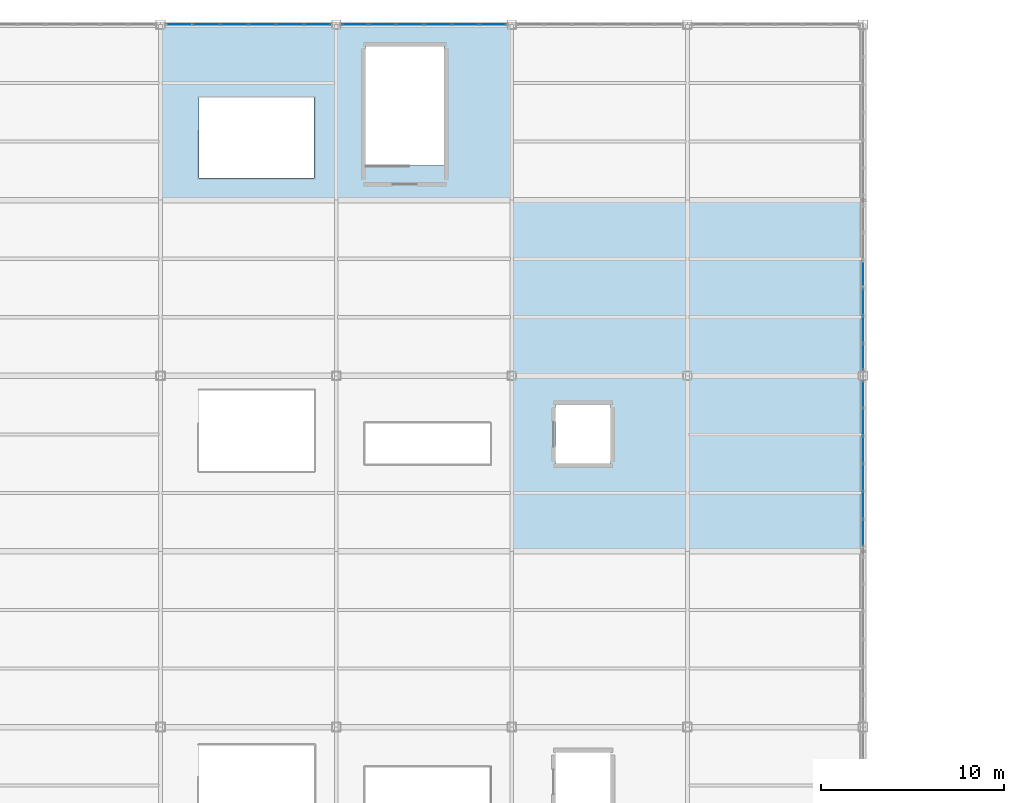
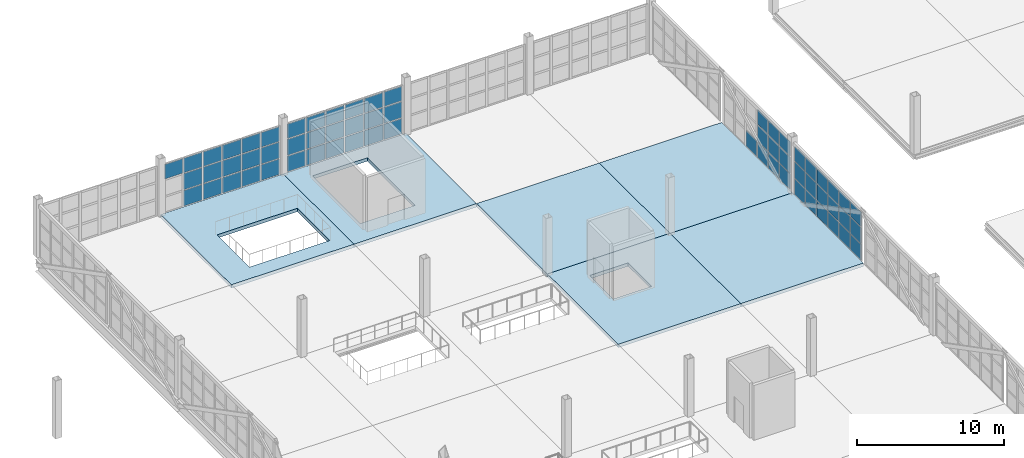
# One storey, part 87 of 120: 62 plates, 6 slabs, 4 elements without a shape of their own.
"""IFC4 building model written with IfcOpenShell, lengths in metres."""

from ifc_helpers import new_model, si_unit, direction, frame, origin, origin_2d, place, context, subcontext, project, spatial, polyline, rectangle, outline, extrude, material, layer, layer_set, type_object, element, aggregate, save


model = new_model("IFC4")

# Units and contexts
model_context = context("Model", 3, precision=1e-05, world=origin(), true_north=direction((0.0, 1.0)))
body_context = subcontext(model_context, "Body", "Model", "MODEL_VIEW")
ifc_project = project(units=[si_unit("LENGTHUNIT", "METRE"), si_unit("AREAUNIT", "SQUARE_METRE"), si_unit("VOLUMEUNIT", "CUBIC_METRE"), si_unit("PLANEANGLEUNIT", "RADIAN"), si_unit("MASSUNIT", "GRAM", prefix="KILO")], contexts=[model_context])

# Site, building, storey
site_placement = place(None, origin())
site = spatial("IfcSite", under=ifc_project, at=site_placement, CompositionType="ELEMENT")
building_placement = place(site_placement, origin())
building = spatial("IfcBuilding", under=site, at=building_placement, Name="Zarnetskaya Central Station", CompositionType="ELEMENT")
storey_placement = place(building_placement, frame((0.0, 0.0, 5.39990234375)))
storey = spatial("IfcBuildingStorey", under=building, at=storey_placement, Name="L01", CompositionType="ELEMENT", Elevation=5.39990234375)

# Curtain wall, plates
ifc_material_1 = material(Name="Low-E insulated glass", Category="glass")
ifc_layer_1 = layer(ifc_material_1, 0.172119140625, Name="Low-E insulated glass", Category="glass")
ifc_layer_set_1 = layer_set([ifc_layer_1], Name="Low-E insulated glass")
curtain_wall_type = type_object("IfcCurtainWallType", Name="CW-SYS-09", PredefinedType="USERDEFINED", material=ifc_layer_set_1)
curtain_wall_1_placement = place(storey_placement, origin())
curtain_wall_1 = element("IfcCurtainWall", 1, at=curtain_wall_1_placement, inside=storey, type_object=curtain_wall_type, Name="Curtain wall CW-L01-153", ObjectType="CURTAIN WALL", PredefinedType="USERDEFINED")
ifc_layer_2 = layer(ifc_material_1, 0.0400390625, Name="Low-E insulated glass", Category="glass")
ifc_layer_set_2 = layer_set([ifc_layer_2], Name="Low-E insulated glass")
plate_type_1 = type_object("IfcPlateType", Name="CW-PAN-40", PredefinedType="CURTAIN_PANEL", material=ifc_layer_set_2)
plate_1_placement = place(storey_placement, frame((77.825927734375, 124.800048828125, 2.822998046875), z_axis=(0.0, 0.0, 1.0), x_axis=(1.0, 0.0, 0.0)))
plate_1 = element("IfcPlate", 2, at=plate_1_placement, type_object=plate_type_1, Name="CW-07 panel 1.3", PredefinedType="CURTAIN_PANEL", context=body_context, shape_type="SweptSolid", body=[
    extrude(rectangle(XDim=1.41162109375, YDim=0.0400390625, at=origin_2d()), origin(), (0.0, 0.0, 1.0), 1.20703125),
])
plate_2_placement = place(storey_placement, frame((79.324951171875, 124.800048828125, 0.070068359375), z_axis=(0.0, 0.0, 1.0), x_axis=(1.0, 0.0, 0.0)))
plate_2 = element("IfcPlate", 3, at=plate_2_placement, type_object=plate_type_1, Name="CW-07 panel 2.1", PredefinedType="CURTAIN_PANEL", context=body_context, shape_type="SweptSolid", body=[
    extrude(rectangle(XDim=1.44677734375, YDim=0.0400390625, at=origin_2d()), origin(), (0.0, 0.0, 1.0), 1.2890625),
])
plate_3_placement = place(storey_placement, frame((79.324951171875, 124.800048828125, 1.42919921875), z_axis=(0.0, 0.0, 1.0), x_axis=(1.0, 0.0, 0.0)))
plate_3 = element("IfcPlate", 4, at=plate_3_placement, type_object=plate_type_1, Name="CW-07 panel 2.2", PredefinedType="CURTAIN_PANEL", context=body_context, shape_type="SweptSolid", body=[
    extrude(rectangle(XDim=1.44677734375, YDim=0.0400390625, at=origin_2d()), origin(), (0.0, 0.0, 1.0), 1.323974609375),
])
plate_4_placement = place(storey_placement, frame((79.324951171875, 124.800048828125, 2.822998046875), z_axis=(0.0, 0.0, 1.0), x_axis=(1.0, 0.0, 0.0)))
plate_4 = element("IfcPlate", 5, at=plate_4_placement, type_object=plate_type_1, Name="CW-07 panel 2.3", PredefinedType="CURTAIN_PANEL", context=body_context, shape_type="SweptSolid", body=[
    extrude(rectangle(XDim=1.44677734375, YDim=0.0400390625, at=origin_2d()), origin(), (0.0, 0.0, 1.0), 1.20703125),
])
plate_5_placement = place(storey_placement, frame((80.841552734375, 124.800048828125, 0.070068359375), z_axis=(0.0, 0.0, 1.0), x_axis=(1.0, 0.0, 0.0)))
plate_5 = element("IfcPlate", 6, at=plate_5_placement, type_object=plate_type_1, Name="CW-07 panel 3.1", PredefinedType="CURTAIN_PANEL", context=body_context, shape_type="SweptSolid", body=[
    extrude(rectangle(XDim=1.44677734375, YDim=0.0400390625, at=origin_2d()), origin(), (0.0, 0.0, 1.0), 1.2890625),
])
plate_6_placement = place(storey_placement, frame((80.841552734375, 124.800048828125, 1.42919921875), z_axis=(0.0, 0.0, 1.0), x_axis=(1.0, 0.0, 0.0)))
plate_6 = element("IfcPlate", 7, at=plate_6_placement, type_object=plate_type_1, Name="CW-07 panel 3.2", PredefinedType="CURTAIN_PANEL", context=body_context, shape_type="SweptSolid", body=[
    extrude(rectangle(XDim=1.44677734375, YDim=0.0400390625, at=origin_2d()), origin(), (0.0, 0.0, 1.0), 1.323974609375),
])
plate_7_placement = place(storey_placement, frame((80.841552734375, 124.800048828125, 2.822998046875), z_axis=(0.0, 0.0, 1.0), x_axis=(1.0, 0.0, 0.0)))
plate_7 = element("IfcPlate", 8, at=plate_7_placement, type_object=plate_type_1, Name="CW-07 panel 3.3", PredefinedType="CURTAIN_PANEL", context=body_context, shape_type="SweptSolid", body=[
    extrude(rectangle(XDim=1.44677734375, YDim=0.0400390625, at=origin_2d()), origin(), (0.0, 0.0, 1.0), 1.20703125),
])
plate_8_placement = place(storey_placement, frame((82.3583984375, 124.800048828125, 0.070068359375), z_axis=(0.0, 0.0, 1.0), x_axis=(1.0, 0.0, 0.0)))
plate_8 = element("IfcPlate", 9, at=plate_8_placement, type_object=plate_type_1, Name="CW-07 panel 4.1", PredefinedType="CURTAIN_PANEL", context=body_context, shape_type="SweptSolid", body=[
    extrude(rectangle(XDim=1.44677734375, YDim=0.0400390625, at=origin_2d()), origin(), (0.0, 0.0, 1.0), 1.2890625),
])
plate_9_placement = place(storey_placement, frame((82.3583984375, 124.800048828125, 1.42919921875), z_axis=(0.0, 0.0, 1.0), x_axis=(1.0, 0.0, 0.0)))
plate_9 = element("IfcPlate", 10, at=plate_9_placement, type_object=plate_type_1, Name="CW-07 panel 4.2", PredefinedType="CURTAIN_PANEL", context=body_context, shape_type="SweptSolid", body=[
    extrude(rectangle(XDim=1.44677734375, YDim=0.0400390625, at=origin_2d()), origin(), (0.0, 0.0, 1.0), 1.323974609375),
])
plate_10_placement = place(storey_placement, frame((82.3583984375, 124.800048828125, 2.822998046875), z_axis=(0.0, 0.0, 1.0), x_axis=(1.0, 0.0, 0.0)))
plate_10 = element("IfcPlate", 11, at=plate_10_placement, type_object=plate_type_1, Name="CW-07 panel 4.3", PredefinedType="CURTAIN_PANEL", context=body_context, shape_type="SweptSolid", body=[
    extrude(rectangle(XDim=1.44677734375, YDim=0.0400390625, at=origin_2d()), origin(), (0.0, 0.0, 1.0), 1.20703125),
])
plate_11_placement = place(storey_placement, frame((83.875, 124.800048828125, 0.070068359375), z_axis=(0.0, 0.0, 1.0), x_axis=(1.0, 0.0, 0.0)))
plate_11 = element("IfcPlate", 12, at=plate_11_placement, type_object=plate_type_1, Name="CW-07 panel 5.1", PredefinedType="CURTAIN_PANEL", context=body_context, shape_type="SweptSolid", body=[
    extrude(rectangle(XDim=1.44677734375, YDim=0.0400390625, at=origin_2d()), origin(), (0.0, 0.0, 1.0), 1.2890625),
])
plate_12_placement = place(storey_placement, frame((83.875, 124.800048828125, 1.42919921875), z_axis=(0.0, 0.0, 1.0), x_axis=(1.0, 0.0, 0.0)))
plate_12 = element("IfcPlate", 13, at=plate_12_placement, type_object=plate_type_1, Name="CW-07 panel 5.2", PredefinedType="CURTAIN_PANEL", context=body_context, shape_type="SweptSolid", body=[
    extrude(rectangle(XDim=1.44677734375, YDim=0.0400390625, at=origin_2d()), origin(), (0.0, 0.0, 1.0), 1.323974609375),
])
plate_13_placement = place(storey_placement, frame((83.875, 124.800048828125, 2.822998046875), z_axis=(0.0, 0.0, 1.0), x_axis=(1.0, 0.0, 0.0)))
plate_13 = element("IfcPlate", 14, at=plate_13_placement, type_object=plate_type_1, Name="CW-07 panel 5.3", PredefinedType="CURTAIN_PANEL", context=body_context, shape_type="SweptSolid", body=[
    extrude(rectangle(XDim=1.44677734375, YDim=0.0400390625, at=origin_2d()), origin(), (0.0, 0.0, 1.0), 1.20703125),
])
plate_14_placement = place(storey_placement, frame((85.374267578125, 124.800048828125, 0.070068359375), z_axis=(0.0, 0.0, 1.0), x_axis=(1.0, 0.0, 0.0)))
plate_14 = element("IfcPlate", 15, at=plate_14_placement, type_object=plate_type_1, Name="CW-07 panel 6.1", PredefinedType="CURTAIN_PANEL", context=body_context, shape_type="SweptSolid", body=[
    extrude(rectangle(XDim=1.41162109375, YDim=0.0400390625, at=origin_2d()), origin(), (0.0, 0.0, 1.0), 1.2890625),
])
plate_15_placement = place(storey_placement, frame((85.374267578125, 124.800048828125, 1.42919921875), z_axis=(0.0, 0.0, 1.0), x_axis=(1.0, 0.0, 0.0)))
plate_15 = element("IfcPlate", 16, at=plate_15_placement, type_object=plate_type_1, Name="CW-07 panel 6.2", PredefinedType="CURTAIN_PANEL", context=body_context, shape_type="SweptSolid", body=[
    extrude(rectangle(XDim=1.41162109375, YDim=0.0400390625, at=origin_2d()), origin(), (0.0, 0.0, 1.0), 1.323974609375),
])
plate_16_placement = place(storey_placement, frame((85.374267578125, 124.800048828125, 2.822998046875), z_axis=(0.0, 0.0, 1.0), x_axis=(1.0, 0.0, 0.0)))
plate_16 = element("IfcPlate", 17, at=plate_16_placement, type_object=plate_type_1, Name="CW-07 panel 6.3", PredefinedType="CURTAIN_PANEL", context=body_context, shape_type="SweptSolid", body=[
    extrude(rectangle(XDim=1.41162109375, YDim=0.0400390625, at=origin_2d()), origin(), (0.0, 0.0, 1.0), 1.20703125),
])
aggregate(curtain_wall_1, [plate_1, plate_2, plate_3, plate_4, plate_5, plate_6, plate_7, plate_8, plate_9, plate_10, plate_11, plate_12, plate_13, plate_14, plate_15, plate_16])

curtain_wall_2_placement = place(storey_placement, origin())
curtain_wall_2 = element("IfcCurtainWall", 18, at=curtain_wall_2_placement, inside=storey, type_object=curtain_wall_type, Name="Curtain wall CW-L01-158", ObjectType="CURTAIN WALL", PredefinedType="USERDEFINED")
plate_17_placement = place(storey_placement, frame((115.199951171875, 111.158447265625, 0.080078125), z_axis=(0.0, 0.0, 1.0), x_axis=(0.0, -1.0, 0.0)))
plate_17 = element("IfcPlate", 19, at=plate_17_placement, type_object=plate_type_1, Name="CW-07 panel 3.1", PredefinedType="CURTAIN_PANEL", context=body_context, shape_type="SweptSolid", body=[
    extrude(rectangle(XDim=1.436767578125, YDim=0.0400390625, at=origin_2d()), origin(), (0.0, 0.0, 1.0), 1.27392578125),
])
plate_18_placement = place(storey_placement, frame((115.199951171875, 109.6416015625, 0.080078125), z_axis=(0.0, 0.0, 1.0), x_axis=(0.0, -1.0, 0.0)))
plate_18 = element("IfcPlate", 20, at=plate_18_placement, type_object=plate_type_1, Name="CW-07 panel 4.1", PredefinedType="CURTAIN_PANEL", context=body_context, shape_type="SweptSolid", body=[
    extrude(rectangle(XDim=1.436767578125, YDim=0.0400390625, at=origin_2d()), origin(), (0.0, 0.0, 1.0), 1.27392578125),
])
plate_19_placement = place(storey_placement, frame((115.199951171875, 109.6416015625, 1.43408203125), z_axis=(0.0, 0.0, 1.0), x_axis=(0.0, -1.0, 0.0)))
plate_19 = element("IfcPlate", 21, at=plate_19_placement, type_object=plate_type_1, Name="CW-07 panel 4.2", PredefinedType="CURTAIN_PANEL", context=body_context, shape_type="SweptSolid", body=[
    extrude(rectangle(XDim=1.436767578125, YDim=0.0400390625, at=origin_2d()), origin(), (0.0, 0.0, 1.0), 1.31396484375),
])
plate_20_placement = place(storey_placement, frame((115.199951171875, 109.6416015625, 2.828125), z_axis=(0.0, 0.0, 1.0), x_axis=(0.0, -1.0, 0.0)))
plate_20 = element("IfcPlate", 22, at=plate_20_placement, type_object=plate_type_1, Name="CW-07 panel 4.3", PredefinedType="CURTAIN_PANEL", context=body_context, shape_type="SweptSolid", body=[
    extrude(rectangle(XDim=1.436767578125, YDim=0.0400390625, at=origin_2d()), origin(), (0.0, 0.0, 1.0), 1.19189453125),
])
plate_21_placement = place(storey_placement, frame((115.199951171875, 108.125, 0.080078125), z_axis=(0.0, 0.0, 1.0), x_axis=(0.0, -1.0, 0.0)))
plate_21 = element("IfcPlate", 23, at=plate_21_placement, type_object=plate_type_1, Name="CW-07 panel 5.1", PredefinedType="CURTAIN_PANEL", context=body_context, shape_type="SweptSolid", body=[
    extrude(rectangle(XDim=1.436767578125, YDim=0.0400390625, at=origin_2d()), origin(), (0.0, 0.0, 1.0), 1.27392578125),
])
plate_22_placement = place(storey_placement, frame((115.199951171875, 108.125, 1.43408203125), z_axis=(0.0, 0.0, 1.0), x_axis=(0.0, -1.0, 0.0)))
plate_22 = element("IfcPlate", 24, at=plate_22_placement, type_object=plate_type_1, Name="CW-07 panel 5.2", PredefinedType="CURTAIN_PANEL", context=body_context, shape_type="SweptSolid", body=[
    extrude(rectangle(XDim=1.436767578125, YDim=0.0400390625, at=origin_2d()), origin(), (0.0, 0.0, 1.0), 1.31396484375),
])
plate_23_placement = place(storey_placement, frame((115.199951171875, 108.125, 2.828125), z_axis=(0.0, 0.0, 1.0), x_axis=(0.0, -1.0, 0.0)))
plate_23 = element("IfcPlate", 25, at=plate_23_placement, type_object=plate_type_1, Name="CW-07 panel 5.3", PredefinedType="CURTAIN_PANEL", context=body_context, shape_type="SweptSolid", body=[
    extrude(rectangle(XDim=1.436767578125, YDim=0.0400390625, at=origin_2d()), origin(), (0.0, 0.0, 1.0), 1.19189453125),
])
plate_24_placement = place(storey_placement, frame((115.199951171875, 106.62841796875, 0.080078125), z_axis=(0.0, 0.0, 1.0), x_axis=(0.0, -1.0, 0.0)))
plate_24 = element("IfcPlate", 26, at=plate_24_placement, type_object=plate_type_1, Name="CW-07 panel 6.1", PredefinedType="CURTAIN_PANEL", context=body_context, shape_type="SweptSolid", body=[
    extrude(rectangle(XDim=1.396728515625, YDim=0.0400390625, at=origin_2d()), origin(), (0.0, 0.0, 1.0), 1.27392578125),
])
plate_25_placement = place(storey_placement, frame((115.199951171875, 106.62841796875, 1.43408203125), z_axis=(0.0, 0.0, 1.0), x_axis=(0.0, -1.0, 0.0)))
plate_25 = element("IfcPlate", 27, at=plate_25_placement, type_object=plate_type_1, Name="CW-07 panel 6.2", PredefinedType="CURTAIN_PANEL", context=body_context, shape_type="SweptSolid", body=[
    extrude(rectangle(XDim=1.396728515625, YDim=0.0400390625, at=origin_2d()), origin(), (0.0, 0.0, 1.0), 1.31396484375),
])
plate_26_placement = place(storey_placement, frame((115.199951171875, 106.62841796875, 2.828125), z_axis=(0.0, 0.0, 1.0), x_axis=(0.0, -1.0, 0.0)))
plate_26 = element("IfcPlate", 28, at=plate_26_placement, type_object=plate_type_1, Name="CW-07 panel 6.3", PredefinedType="CURTAIN_PANEL", context=body_context, shape_type="SweptSolid", body=[
    extrude(rectangle(XDim=1.396728515625, YDim=0.0400390625, at=origin_2d()), origin(), (0.0, 0.0, 1.0), 1.19189453125),
])
aggregate(curtain_wall_2, [plate_17, plate_18, plate_19, plate_20, plate_21, plate_22, plate_23, plate_24, plate_25, plate_26])

curtain_wall_3_placement = place(storey_placement, origin())
curtain_wall_3 = element("IfcCurtainWall", 29, at=curtain_wall_3_placement, inside=storey, type_object=curtain_wall_type, Name="Curtain wall CW-L01-154", ObjectType="CURTAIN WALL", PredefinedType="USERDEFINED")
ifc_layer_3 = layer(ifc_material_1, 0.0439453125, Name="Low-E insulated glass", Category="glass")
ifc_layer_set_3 = layer_set([ifc_layer_3], Name="Low-E insulated glass")
plate_type_2 = type_object("IfcPlateType", Name="CW-PAN-44", PredefinedType="CURTAIN_PANEL", material=ifc_layer_set_3)
plate_27_placement = place(storey_placement, frame((87.42822265625, 124.800048828125, 0.080078125), z_axis=(0.0, 0.0, 1.0), x_axis=(1.0, 0.0, 0.0)))
plate_27 = element("IfcPlate", 30, at=plate_27_placement, type_object=plate_type_2, Name="CW-07 panel 1.1", PredefinedType="CURTAIN_PANEL", context=body_context, shape_type="SweptSolid", body=[
    extrude(rectangle(XDim=1.396728515625, YDim=0.0439453125, at=origin_2d()), origin(), (0.0, 0.0, 1.0), 1.27392578125),
])
plate_28_placement = place(storey_placement, frame((87.42822265625, 124.800048828125, 1.43408203125), z_axis=(0.0, 0.0, 1.0), x_axis=(1.0, 0.0, 0.0)))
plate_28 = element("IfcPlate", 31, at=plate_28_placement, type_object=plate_type_2, Name="CW-07 panel 1.2", PredefinedType="CURTAIN_PANEL", context=body_context, shape_type="SweptSolid", body=[
    extrude(rectangle(XDim=1.396728515625, YDim=0.0439453125, at=origin_2d()), origin(), (0.0, 0.0, 1.0), 1.31396484375),
])
plate_29_placement = place(storey_placement, frame((87.42822265625, 124.800048828125, 2.828125), z_axis=(0.0, 0.0, 1.0), x_axis=(1.0, 0.0, 0.0)))
plate_29 = element("IfcPlate", 32, at=plate_29_placement, type_object=plate_type_2, Name="CW-07 panel 1.3", PredefinedType="CURTAIN_PANEL", context=body_context, shape_type="SweptSolid", body=[
    extrude(rectangle(XDim=1.396728515625, YDim=0.0439453125, at=origin_2d()), origin(), (0.0, 0.0, 1.0), 1.19189453125),
])
plate_30_placement = place(storey_placement, frame((88.925048828125, 124.800048828125, 0.080078125), z_axis=(0.0, 0.0, 1.0), x_axis=(1.0, 0.0, 0.0)))
plate_30 = element("IfcPlate", 33, at=plate_30_placement, type_object=plate_type_2, Name="CW-07 panel 2.1", PredefinedType="CURTAIN_PANEL", context=body_context, shape_type="SweptSolid", body=[
    extrude(rectangle(XDim=1.436767578125, YDim=0.0439453125, at=origin_2d()), origin(), (0.0, 0.0, 1.0), 1.27392578125),
])
plate_31_placement = place(storey_placement, frame((88.925048828125, 124.800048828125, 1.43408203125), z_axis=(0.0, 0.0, 1.0), x_axis=(1.0, 0.0, 0.0)))
plate_31 = element("IfcPlate", 34, at=plate_31_placement, type_object=plate_type_2, Name="CW-07 panel 2.2", PredefinedType="CURTAIN_PANEL", context=body_context, shape_type="SweptSolid", body=[
    extrude(rectangle(XDim=1.436767578125, YDim=0.0439453125, at=origin_2d()), origin(), (0.0, 0.0, 1.0), 1.31396484375),
])
plate_32_placement = place(storey_placement, frame((88.925048828125, 124.800048828125, 2.828125), z_axis=(0.0, 0.0, 1.0), x_axis=(1.0, 0.0, 0.0)))
plate_32 = element("IfcPlate", 35, at=plate_32_placement, type_object=plate_type_2, Name="CW-07 panel 2.3", PredefinedType="CURTAIN_PANEL", context=body_context, shape_type="SweptSolid", body=[
    extrude(rectangle(XDim=1.436767578125, YDim=0.0439453125, at=origin_2d()), origin(), (0.0, 0.0, 1.0), 1.19189453125),
])
plate_33_placement = place(storey_placement, frame((90.441650390625, 124.800048828125, 0.080078125), z_axis=(0.0, 0.0, 1.0), x_axis=(1.0, 0.0, 0.0)))
plate_33 = element("IfcPlate", 36, at=plate_33_placement, type_object=plate_type_2, Name="CW-07 panel 3.1", PredefinedType="CURTAIN_PANEL", context=body_context, shape_type="SweptSolid", body=[
    extrude(rectangle(XDim=1.436767578125, YDim=0.0439453125, at=origin_2d()), origin(), (0.0, 0.0, 1.0), 1.27392578125),
])
plate_34_placement = place(storey_placement, frame((90.441650390625, 124.800048828125, 1.43408203125), z_axis=(0.0, 0.0, 1.0), x_axis=(1.0, 0.0, 0.0)))
plate_34 = element("IfcPlate", 37, at=plate_34_placement, type_object=plate_type_2, Name="CW-07 panel 3.2", PredefinedType="CURTAIN_PANEL", context=body_context, shape_type="SweptSolid", body=[
    extrude(rectangle(XDim=1.436767578125, YDim=0.0439453125, at=origin_2d()), origin(), (0.0, 0.0, 1.0), 1.31396484375),
])
plate_35_placement = place(storey_placement, frame((90.441650390625, 124.800048828125, 2.828125), z_axis=(0.0, 0.0, 1.0), x_axis=(1.0, 0.0, 0.0)))
plate_35 = element("IfcPlate", 38, at=plate_35_placement, type_object=plate_type_2, Name="CW-07 panel 3.3", PredefinedType="CURTAIN_PANEL", context=body_context, shape_type="SweptSolid", body=[
    extrude(rectangle(XDim=1.436767578125, YDim=0.0439453125, at=origin_2d()), origin(), (0.0, 0.0, 1.0), 1.19189453125),
])
plate_36_placement = place(storey_placement, frame((91.958251953125, 124.800048828125, 0.080078125), z_axis=(0.0, 0.0, 1.0), x_axis=(1.0, 0.0, 0.0)))
plate_36 = element("IfcPlate", 39, at=plate_36_placement, type_object=plate_type_2, Name="CW-07 panel 4.1", PredefinedType="CURTAIN_PANEL", context=body_context, shape_type="SweptSolid", body=[
    extrude(rectangle(XDim=1.436767578125, YDim=0.0439453125, at=origin_2d()), origin(), (0.0, 0.0, 1.0), 1.27392578125),
])
plate_37_placement = place(storey_placement, frame((91.958251953125, 124.800048828125, 1.43408203125), z_axis=(0.0, 0.0, 1.0), x_axis=(1.0, 0.0, 0.0)))
plate_37 = element("IfcPlate", 40, at=plate_37_placement, type_object=plate_type_2, Name="CW-07 panel 4.2", PredefinedType="CURTAIN_PANEL", context=body_context, shape_type="SweptSolid", body=[
    extrude(rectangle(XDim=1.436767578125, YDim=0.0439453125, at=origin_2d()), origin(), (0.0, 0.0, 1.0), 1.31396484375),
])
plate_38_placement = place(storey_placement, frame((91.958251953125, 124.800048828125, 2.828125), z_axis=(0.0, 0.0, 1.0), x_axis=(1.0, 0.0, 0.0)))
plate_38 = element("IfcPlate", 41, at=plate_38_placement, type_object=plate_type_2, Name="CW-07 panel 4.3", PredefinedType="CURTAIN_PANEL", context=body_context, shape_type="SweptSolid", body=[
    extrude(rectangle(XDim=1.436767578125, YDim=0.0439453125, at=origin_2d()), origin(), (0.0, 0.0, 1.0), 1.19189453125),
])
plate_39_placement = place(storey_placement, frame((93.47509765625, 124.800048828125, 0.080078125), z_axis=(0.0, 0.0, 1.0), x_axis=(1.0, 0.0, 0.0)))
plate_39 = element("IfcPlate", 42, at=plate_39_placement, type_object=plate_type_2, Name="CW-07 panel 5.1", PredefinedType="CURTAIN_PANEL", context=body_context, shape_type="SweptSolid", body=[
    extrude(rectangle(XDim=1.436767578125, YDim=0.0439453125, at=origin_2d()), origin(), (0.0, 0.0, 1.0), 1.27392578125),
])
plate_40_placement = place(storey_placement, frame((93.47509765625, 124.800048828125, 1.43408203125), z_axis=(0.0, 0.0, 1.0), x_axis=(1.0, 0.0, 0.0)))
plate_40 = element("IfcPlate", 43, at=plate_40_placement, type_object=plate_type_2, Name="CW-07 panel 5.2", PredefinedType="CURTAIN_PANEL", context=body_context, shape_type="SweptSolid", body=[
    extrude(rectangle(XDim=1.436767578125, YDim=0.0439453125, at=origin_2d()), origin(), (0.0, 0.0, 1.0), 1.31396484375),
])
plate_41_placement = place(storey_placement, frame((93.47509765625, 124.800048828125, 2.828125), z_axis=(0.0, 0.0, 1.0), x_axis=(1.0, 0.0, 0.0)))
plate_41 = element("IfcPlate", 44, at=plate_41_placement, type_object=plate_type_2, Name="CW-07 panel 5.3", PredefinedType="CURTAIN_PANEL", context=body_context, shape_type="SweptSolid", body=[
    extrude(rectangle(XDim=1.436767578125, YDim=0.0439453125, at=origin_2d()), origin(), (0.0, 0.0, 1.0), 1.19189453125),
])
plate_42_placement = place(storey_placement, frame((94.9716796875, 124.800048828125, 0.080078125), z_axis=(0.0, 0.0, 1.0), x_axis=(1.0, 0.0, 0.0)))
plate_42 = element("IfcPlate", 45, at=plate_42_placement, type_object=plate_type_2, Name="CW-07 panel 6.1", PredefinedType="CURTAIN_PANEL", context=body_context, shape_type="SweptSolid", body=[
    extrude(rectangle(XDim=1.396728515625, YDim=0.0439453125, at=origin_2d()), origin(), (0.0, 0.0, 1.0), 1.27392578125),
])
plate_43_placement = place(storey_placement, frame((94.9716796875, 124.800048828125, 1.43408203125), z_axis=(0.0, 0.0, 1.0), x_axis=(1.0, 0.0, 0.0)))
plate_43 = element("IfcPlate", 46, at=plate_43_placement, type_object=plate_type_2, Name="CW-07 panel 6.2", PredefinedType="CURTAIN_PANEL", context=body_context, shape_type="SweptSolid", body=[
    extrude(rectangle(XDim=1.396728515625, YDim=0.0439453125, at=origin_2d()), origin(), (0.0, 0.0, 1.0), 1.31396484375),
])
plate_44_placement = place(storey_placement, frame((94.9716796875, 124.800048828125, 2.828125), z_axis=(0.0, 0.0, 1.0), x_axis=(1.0, 0.0, 0.0)))
plate_44 = element("IfcPlate", 47, at=plate_44_placement, type_object=plate_type_2, Name="CW-07 panel 6.3", PredefinedType="CURTAIN_PANEL", context=body_context, shape_type="SweptSolid", body=[
    extrude(rectangle(XDim=1.396728515625, YDim=0.0439453125, at=origin_2d()), origin(), (0.0, 0.0, 1.0), 1.19189453125),
])
aggregate(curtain_wall_3, [plate_27, plate_28, plate_29, plate_30, plate_31, plate_32, plate_33, plate_34, plate_35, plate_36, plate_37, plate_38, plate_39, plate_40, plate_41, plate_42, plate_43, plate_44])

curtain_wall_4_placement = place(storey_placement, origin())
curtain_wall_4 = element("IfcCurtainWall", 48, at=curtain_wall_4_placement, inside=storey, type_object=curtain_wall_type, Name="Curtain wall CW-L01-159", ObjectType="CURTAIN WALL", PredefinedType="USERDEFINED")
plate_45_placement = place(storey_placement, frame((115.199951171875, 104.57421875, 0.070068359375), z_axis=(0.0, 0.0, 1.0), x_axis=(0.0, -1.0, 0.0)))
plate_45 = element("IfcPlate", 49, at=plate_45_placement, type_object=plate_type_2, Name="CW-07 panel 1.1", PredefinedType="CURTAIN_PANEL", context=body_context, shape_type="SweptSolid", body=[
    extrude(rectangle(XDim=1.41162109375, YDim=0.0439453125, at=origin_2d()), origin(), (0.0, 0.0, 1.0), 1.2890625),
])
plate_46_placement = place(storey_placement, frame((115.199951171875, 104.57421875, 1.42919921875), z_axis=(0.0, 0.0, 1.0), x_axis=(0.0, -1.0, 0.0)))
plate_46 = element("IfcPlate", 50, at=plate_46_placement, type_object=plate_type_2, Name="CW-07 panel 1.2", PredefinedType="CURTAIN_PANEL", context=body_context, shape_type="SweptSolid", body=[
    extrude(rectangle(XDim=1.41162109375, YDim=0.0439453125, at=origin_2d()), origin(), (0.0, 0.0, 1.0), 1.323974609375),
])
plate_47_placement = place(storey_placement, frame((115.199951171875, 104.57421875, 2.822998046875), z_axis=(0.0, 0.0, 1.0), x_axis=(0.0, -1.0, 0.0)))
plate_47 = element("IfcPlate", 51, at=plate_47_placement, type_object=plate_type_2, Name="CW-07 panel 1.3", PredefinedType="CURTAIN_PANEL", context=body_context, shape_type="SweptSolid", body=[
    extrude(rectangle(XDim=1.41162109375, YDim=0.0439453125, at=origin_2d()), origin(), (0.0, 0.0, 1.0), 1.20703125),
])
plate_48_placement = place(storey_placement, frame((115.199951171875, 103.074951171875, 0.070068359375), z_axis=(0.0, 0.0, 1.0), x_axis=(0.0, -1.0, 0.0)))
plate_48 = element("IfcPlate", 52, at=plate_48_placement, type_object=plate_type_2, Name="CW-07 panel 2.1", PredefinedType="CURTAIN_PANEL", context=body_context, shape_type="SweptSolid", body=[
    extrude(rectangle(XDim=1.44677734375, YDim=0.0439453125, at=origin_2d()), origin(), (0.0, 0.0, 1.0), 1.2890625),
])
plate_49_placement = place(storey_placement, frame((115.199951171875, 103.074951171875, 1.42919921875), z_axis=(0.0, 0.0, 1.0), x_axis=(0.0, -1.0, 0.0)))
plate_49 = element("IfcPlate", 53, at=plate_49_placement, type_object=plate_type_2, Name="CW-07 panel 2.2", PredefinedType="CURTAIN_PANEL", context=body_context, shape_type="SweptSolid", body=[
    extrude(rectangle(XDim=1.44677734375, YDim=0.0439453125, at=origin_2d()), origin(), (0.0, 0.0, 1.0), 1.323974609375),
])
plate_50_placement = place(storey_placement, frame((115.199951171875, 103.074951171875, 2.822998046875), z_axis=(0.0, 0.0, 1.0), x_axis=(0.0, -1.0, 0.0)))
plate_50 = element("IfcPlate", 54, at=plate_50_placement, type_object=plate_type_2, Name="CW-07 panel 2.3", PredefinedType="CURTAIN_PANEL", context=body_context, shape_type="SweptSolid", body=[
    extrude(rectangle(XDim=1.44677734375, YDim=0.0439453125, at=origin_2d()), origin(), (0.0, 0.0, 1.0), 1.20703125),
])
plate_51_placement = place(storey_placement, frame((115.199951171875, 101.558349609375, 0.070068359375), z_axis=(0.0, 0.0, 1.0), x_axis=(0.0, -1.0, 0.0)))
plate_51 = element("IfcPlate", 55, at=plate_51_placement, type_object=plate_type_2, Name="CW-07 panel 3.1", PredefinedType="CURTAIN_PANEL", context=body_context, shape_type="SweptSolid", body=[
    extrude(rectangle(XDim=1.44677734375, YDim=0.0439453125, at=origin_2d()), origin(), (0.0, 0.0, 1.0), 1.2890625),
])
plate_52_placement = place(storey_placement, frame((115.199951171875, 101.558349609375, 1.42919921875), z_axis=(0.0, 0.0, 1.0), x_axis=(0.0, -1.0, 0.0)))
plate_52 = element("IfcPlate", 56, at=plate_52_placement, type_object=plate_type_2, Name="CW-07 panel 3.2", PredefinedType="CURTAIN_PANEL", context=body_context, shape_type="SweptSolid", body=[
    extrude(rectangle(XDim=1.44677734375, YDim=0.0439453125, at=origin_2d()), origin(), (0.0, 0.0, 1.0), 1.323974609375),
])
plate_53_placement = place(storey_placement, frame((115.199951171875, 101.558349609375, 2.822998046875), z_axis=(0.0, 0.0, 1.0), x_axis=(0.0, -1.0, 0.0)))
plate_53 = element("IfcPlate", 57, at=plate_53_placement, type_object=plate_type_2, Name="CW-07 panel 3.3", PredefinedType="CURTAIN_PANEL", context=body_context, shape_type="SweptSolid", body=[
    extrude(rectangle(XDim=1.44677734375, YDim=0.0439453125, at=origin_2d()), origin(), (0.0, 0.0, 1.0), 1.20703125),
])
plate_54_placement = place(storey_placement, frame((115.199951171875, 100.041748046875, 0.070068359375), z_axis=(0.0, 0.0, 1.0), x_axis=(0.0, -1.0, 0.0)))
plate_54 = element("IfcPlate", 58, at=plate_54_placement, type_object=plate_type_2, Name="CW-07 panel 4.1", PredefinedType="CURTAIN_PANEL", context=body_context, shape_type="SweptSolid", body=[
    extrude(rectangle(XDim=1.44677734375, YDim=0.0439453125, at=origin_2d()), origin(), (0.0, 0.0, 1.0), 1.2890625),
])
plate_55_placement = place(storey_placement, frame((115.199951171875, 100.041748046875, 1.42919921875), z_axis=(0.0, 0.0, 1.0), x_axis=(0.0, -1.0, 0.0)))
plate_55 = element("IfcPlate", 59, at=plate_55_placement, type_object=plate_type_2, Name="CW-07 panel 4.2", PredefinedType="CURTAIN_PANEL", context=body_context, shape_type="SweptSolid", body=[
    extrude(rectangle(XDim=1.44677734375, YDim=0.0439453125, at=origin_2d()), origin(), (0.0, 0.0, 1.0), 1.323974609375),
])
plate_56_placement = place(storey_placement, frame((115.199951171875, 100.041748046875, 2.822998046875), z_axis=(0.0, 0.0, 1.0), x_axis=(0.0, -1.0, 0.0)))
plate_56 = element("IfcPlate", 60, at=plate_56_placement, type_object=plate_type_2, Name="CW-07 panel 4.3", PredefinedType="CURTAIN_PANEL", context=body_context, shape_type="SweptSolid", body=[
    extrude(rectangle(XDim=1.44677734375, YDim=0.0439453125, at=origin_2d()), origin(), (0.0, 0.0, 1.0), 1.20703125),
])
plate_57_placement = place(storey_placement, frame((115.199951171875, 98.52490234375, 0.070068359375), z_axis=(0.0, 0.0, 1.0), x_axis=(0.0, -1.0, 0.0)))
plate_57 = element("IfcPlate", 61, at=plate_57_placement, type_object=plate_type_2, Name="CW-07 panel 5.1", PredefinedType="CURTAIN_PANEL", context=body_context, shape_type="SweptSolid", body=[
    extrude(rectangle(XDim=1.44677734375, YDim=0.0439453125, at=origin_2d()), origin(), (0.0, 0.0, 1.0), 1.2890625),
])
plate_58_placement = place(storey_placement, frame((115.199951171875, 98.52490234375, 1.42919921875), z_axis=(0.0, 0.0, 1.0), x_axis=(0.0, -1.0, 0.0)))
plate_58 = element("IfcPlate", 62, at=plate_58_placement, type_object=plate_type_2, Name="CW-07 panel 5.2", PredefinedType="CURTAIN_PANEL", context=body_context, shape_type="SweptSolid", body=[
    extrude(rectangle(XDim=1.44677734375, YDim=0.0439453125, at=origin_2d()), origin(), (0.0, 0.0, 1.0), 1.323974609375),
])
plate_59_placement = place(storey_placement, frame((115.199951171875, 98.52490234375, 2.822998046875), z_axis=(0.0, 0.0, 1.0), x_axis=(0.0, -1.0, 0.0)))
plate_59 = element("IfcPlate", 63, at=plate_59_placement, type_object=plate_type_2, Name="CW-07 panel 5.3", PredefinedType="CURTAIN_PANEL", context=body_context, shape_type="SweptSolid", body=[
    extrude(rectangle(XDim=1.44677734375, YDim=0.0439453125, at=origin_2d()), origin(), (0.0, 0.0, 1.0), 1.20703125),
])
plate_60_placement = place(storey_placement, frame((115.199951171875, 97.02587890625, 0.070068359375), z_axis=(0.0, 0.0, 1.0), x_axis=(0.0, -1.0, 0.0)))
plate_60 = element("IfcPlate", 64, at=plate_60_placement, type_object=plate_type_2, Name="CW-07 panel 6.1", PredefinedType="CURTAIN_PANEL", context=body_context, shape_type="SweptSolid", body=[
    extrude(rectangle(XDim=1.41162109375, YDim=0.0439453125, at=origin_2d()), origin(), (0.0, 0.0, 1.0), 1.2890625),
])
plate_61_placement = place(storey_placement, frame((115.199951171875, 97.02587890625, 1.42919921875), z_axis=(0.0, 0.0, 1.0), x_axis=(0.0, -1.0, 0.0)))
plate_61 = element("IfcPlate", 65, at=plate_61_placement, type_object=plate_type_2, Name="CW-07 panel 6.2", PredefinedType="CURTAIN_PANEL", context=body_context, shape_type="SweptSolid", body=[
    extrude(rectangle(XDim=1.41162109375, YDim=0.0439453125, at=origin_2d()), origin(), (0.0, 0.0, 1.0), 1.323974609375),
])
plate_62_placement = place(storey_placement, frame((115.199951171875, 97.02587890625, 2.822998046875), z_axis=(0.0, 0.0, 1.0), x_axis=(0.0, -1.0, 0.0)))
plate_62 = element("IfcPlate", 66, at=plate_62_placement, type_object=plate_type_2, Name="CW-07 panel 6.3", PredefinedType="CURTAIN_PANEL", context=body_context, shape_type="SweptSolid", body=[
    extrude(rectangle(XDim=1.41162109375, YDim=0.0439453125, at=origin_2d()), origin(), (0.0, 0.0, 1.0), 1.20703125),
])
aggregate(curtain_wall_4, [plate_45, plate_46, plate_47, plate_48, plate_49, plate_50, plate_51, plate_52, plate_53, plate_54, plate_55, plate_56, plate_57, plate_58, plate_59, plate_60, plate_61, plate_62])

# Slabs
ifc_material_2 = material(Name="Concrete C30/37", Category="concrete")
ifc_layer_4 = layer(ifc_material_2, 0.280029296875, Name="Concrete C30/37", Category="concrete")
ifc_layer_set_4 = layer_set([ifc_layer_4], Name="Concrete C30/37")
slab_type = type_object("IfcSlabType", Name="SLAB-BRG-280", PredefinedType="FLOOR", material=ifc_layer_set_4)
slab_1_placement = place(storey_placement, frame((0.0, 0.0, -0.27978515625)))
element("IfcSlab", 67, at=slab_1_placement, inside=storey, type_object=slab_type, Name="L01 slab J-K/14-15", PredefinedType="FLOOR", context=body_context, shape_type="SweptSolid", body=[
    extrude(outline(polyline([(76.800048828125, 115.199951171875), (86.39990234375, 115.199951171875), (86.39990234375, 124.800048828125), (76.800048828125, 124.800048828125), (76.800048828125, 115.199951171875)]), holes=[polyline([(78.905029296875, 116.39990234375), (85.199951171875, 116.39990234375), (85.199951171875, 120.800048828125), (78.905029296875, 120.800048828125), (78.905029296875, 116.39990234375)])]), origin(), (0.0, 0.0, 1.0), 0.27978515625),
])
slab_2_placement = place(storey_placement, frame((0.0, 0.0, -0.27978515625)))
element("IfcSlab", 68, at=slab_2_placement, inside=storey, type_object=slab_type, Name="L01 slab K-L/14-15", PredefinedType="FLOOR", context=body_context, shape_type="SweptSolid", body=[
    extrude(outline(polyline([(86.39990234375, 115.199951171875), (96.0, 115.199951171875), (96.0, 124.800048828125), (86.39990234375, 124.800048828125), (86.39990234375, 115.199951171875)]), holes=[polyline([(88.0, 117.10498046875), (92.300048828125, 117.10498046875), (92.300048828125, 123.60009765625), (88.0, 123.60009765625), (88.0, 117.10498046875)])]), origin(), (0.0, 0.0, 1.0), 0.27978515625),
])
slab_3_placement = place(storey_placement, frame((0.0, 0.0, -0.27978515625)))
element("IfcSlab", 69, at=slab_3_placement, inside=storey, type_object=slab_type, Name="L01 slab L-M/12-13", PredefinedType="FLOOR", context=body_context, shape_type="SweptSolid", body=[
    extrude(outline(polyline([(96.0, 96.0), (105.60009765625, 96.0), (105.60009765625, 105.60009765625), (96.0, 105.60009765625), (96.0, 96.0)]), holes=[polyline([(98.39990234375, 100.800048828125), (101.39990234375, 100.800048828125), (101.39990234375, 104.0), (98.39990234375, 104.0), (98.39990234375, 100.800048828125)])]), origin(), (0.0, 0.0, 1.0), 0.27978515625),
])
slab_4_placement = place(storey_placement, frame((0.0, 0.0, -0.27978515625)))
element("IfcSlab", 70, at=slab_4_placement, inside=storey, type_object=slab_type, Name="L01 slab L-M/13-14", PredefinedType="FLOOR", context=body_context, shape_type="SweptSolid", body=[
    extrude(outline(polyline([(96.0, 105.60009765625), (105.60009765625, 105.60009765625), (105.60009765625, 115.199951171875), (96.0, 115.199951171875), (96.0, 105.60009765625)])), origin(), (0.0, 0.0, 1.0), 0.27978515625),
])
slab_5_placement = place(storey_placement, frame((0.0, 0.0, -0.27978515625)))
element("IfcSlab", 71, at=slab_5_placement, inside=storey, type_object=slab_type, Name="L01 slab M-N/12-13", PredefinedType="FLOOR", context=body_context, shape_type="SweptSolid", body=[
    extrude(outline(polyline([(105.60009765625, 96.0), (115.199951171875, 96.0), (115.199951171875, 105.60009765625), (105.60009765625, 105.60009765625), (105.60009765625, 96.0)])), origin(), (0.0, 0.0, 1.0), 0.27978515625),
])
slab_6_placement = place(storey_placement, frame((0.0, 0.0, -0.27978515625)))
element("IfcSlab", 72, at=slab_6_placement, inside=storey, type_object=slab_type, Name="L01 slab M-N/13-14", PredefinedType="FLOOR", context=body_context, shape_type="SweptSolid", body=[
    extrude(outline(polyline([(105.60009765625, 105.60009765625), (115.199951171875, 105.60009765625), (115.199951171875, 115.199951171875), (105.60009765625, 115.199951171875), (105.60009765625, 105.60009765625)])), origin(), (0.0, 0.0, 1.0), 0.27978515625),
])

save(model, "model.ifc")
